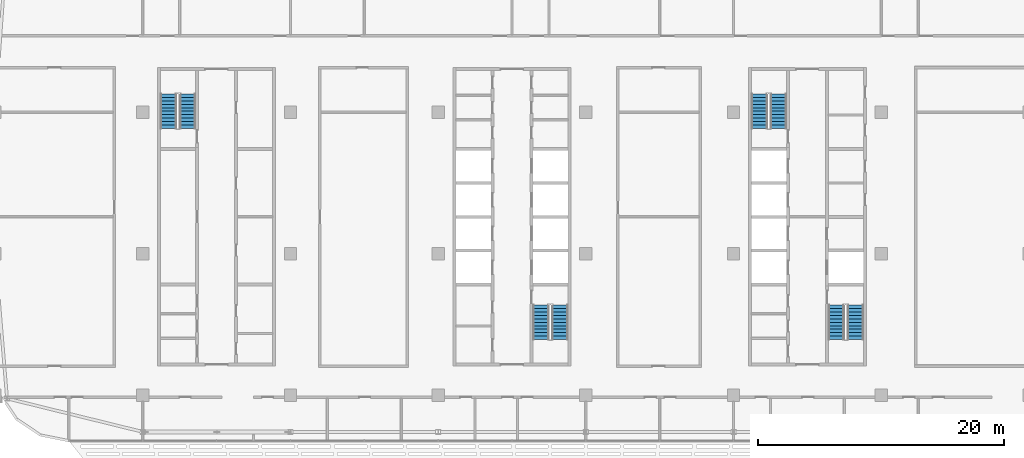
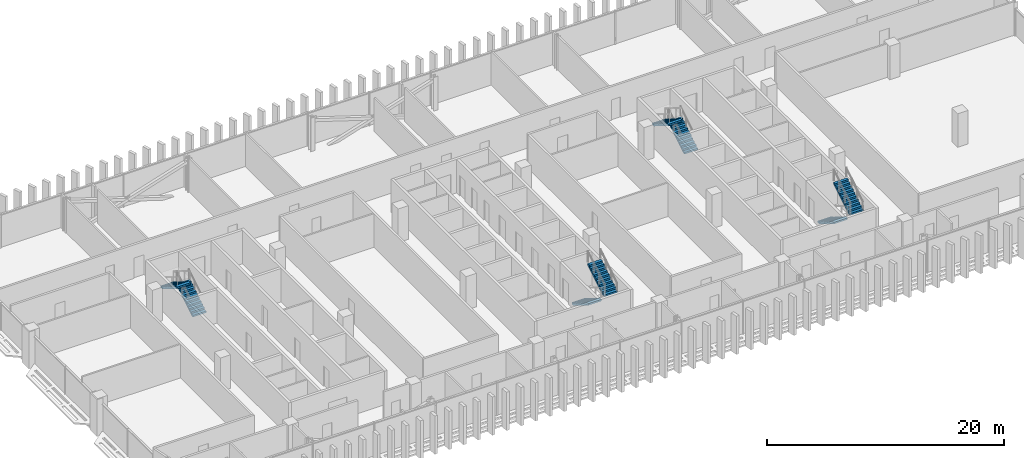
# One storey, part 23 of 34: 8 stair flights, 4 elements without a shape of their own.
"""IFC4 building model written with IfcOpenShell, lengths in metres."""

from ifc_helpers import new_model, si_unit, direction, frame, origin, place, context, subcontext, project, spatial, polyline, outline, extrude, material, type_object, element, aggregate, save


model = new_model("IFC4")

# Units and contexts
model_context = context("Model", 3, precision=1e-05, world=origin(), true_north=direction((0.0, 1.0)))
body_context = subcontext(model_context, "Body", "Model", "MODEL_VIEW")
ifc_project = project(units=[si_unit("LENGTHUNIT", "METRE"), si_unit("AREAUNIT", "SQUARE_METRE"), si_unit("VOLUMEUNIT", "CUBIC_METRE"), si_unit("PLANEANGLEUNIT", "RADIAN"), si_unit("MASSUNIT", "GRAM", prefix="KILO")], contexts=[model_context])

# Site, building, storey
site_placement = place(None, origin())
site = spatial("IfcSite", under=ifc_project, at=site_placement, CompositionType="ELEMENT")
building_placement = place(site_placement, origin())
building = spatial("IfcBuilding", under=site, at=building_placement, Name="Mahtab Terrace Research Tower", CompositionType="ELEMENT")
storey_placement = place(building_placement, frame((0.0, 0.0, 247.60009765625)))
storey = spatial("IfcBuildingStorey", under=building, at=storey_placement, Name="L60", CompositionType="ELEMENT", Elevation=247.60009765625)

# Stair, stair flights
ifc_material_1 = material(Name="Exit stair half-turn")
stair_type = type_object("IfcStairType", Name="Exit stair half-turn", PredefinedType="HALF_TURN_STAIR", material=ifc_material_1)
stair_1_placement = place(storey_placement, origin())
stair_1 = element("IfcStair", 1, at=stair_1_placement, inside=storey, type_object=stair_type, Name="L60 Protected exit stair ST1", PredefinedType="HALF_TURN_STAIR")
ifc_material_2 = material(Name="Concrete C40/50", Category="concrete")
stair_flight_type = type_object("IfcStairFlightType", Name="Exit stair flight 1300", PredefinedType="STRAIGHT", material=ifc_material_2)
stair_flight_1_placement = place(storey_placement, frame((-26.35009765625, 10.175048828125, 0.0), z_axis=(0.0, 0.0, 1.0), x_axis=(0.0, 1.0, 0.0)))
stair_flight_1 = element("IfcStairFlight", 2, at=stair_flight_1_placement, type_object=stair_flight_type, Name="ST1 flight 1", NumberOfRisers=11, NumberOfTreads=10, PredefinedType="STRAIGHT", RiserHeight=0.172727273, TreadLength=0.28, context=body_context, shape_type="SweptSolid", body=[
    extrude(outline(polyline([(0.0, 0.0), (0.0, 0.172607421875), (0.280029296875, 0.172607421875), (0.280029296875, 0.345458984375), (0.56005859375, 0.345458984375), (0.56005859375, 0.51806640625), (0.840087890625, 0.51806640625), (0.840087890625, 0.69091796875), (1.1201171875, 0.69091796875), (1.1201171875, 0.863525390625), (1.39990234375, 0.863525390625), (1.39990234375, 1.036376953125), (1.679931640625, 1.036376953125), (1.679931640625, 1.208984375), (1.9599609375, 1.208984375), (1.9599609375, 1.3818359375), (2.239990234375, 1.3818359375), (2.239990234375, 1.554443359375), (2.52001953125, 1.554443359375), (2.52001953125, 1.727294921875), (2.800048828125, 1.727294921875), (2.800048828125, 1.89990234375), (2.800048828125, 1.551025390625), (0.285400390625, 0.0), (0.0, 0.0)])), frame((0.0, 0.64990234375, 0.0), z_axis=(0.0, -1.0, 0.0), x_axis=(1.0, 0.0, 0.0)), (0.0, 0.0, 1.0), 1.300048828125),
])
stair_flight_2_placement = place(storey_placement, frame((-27.89990234375, 12.97509765625, 1.89990234375), z_axis=(0.0, 0.0, 1.0), x_axis=(0.0, -1.0, 0.0)))
stair_flight_2 = element("IfcStairFlight", 3, at=stair_flight_2_placement, type_object=stair_flight_type, Name="ST1 flight 2", NumberOfRisers=11, NumberOfTreads=10, PredefinedType="STRAIGHT", RiserHeight=0.172727273, TreadLength=0.28, context=body_context, shape_type="SweptSolid", body=[
    extrude(outline(polyline([(0.0, 0.0), (0.0, 0.172607421875), (0.280029296875, 0.172607421875), (0.280029296875, 0.345458984375), (0.56005859375, 0.345458984375), (0.56005859375, 0.51806640625), (0.840087890625, 0.51806640625), (0.840087890625, 0.69091796875), (1.1201171875, 0.69091796875), (1.1201171875, 0.863525390625), (1.39990234375, 0.863525390625), (1.39990234375, 1.036376953125), (1.679931640625, 1.036376953125), (1.679931640625, 1.208984375), (1.9599609375, 1.208984375), (1.9599609375, 1.3818359375), (2.239990234375, 1.3818359375), (2.239990234375, 1.554443359375), (2.52001953125, 1.554443359375), (2.52001953125, 1.727294921875), (2.800048828125, 1.727294921875), (2.800048828125, 1.89990234375), (2.800048828125, 1.551025390625), (0.285400390625, 0.0), (0.0, 0.0)])), frame((0.0, 0.64990234375, 0.0), z_axis=(0.0, -1.0, 0.0), x_axis=(1.0, 0.0, 0.0)), (0.0, 0.0, 1.0), 1.300048828125),
])
aggregate(stair_1, [stair_flight_1, stair_flight_2])

stair_2_placement = place(storey_placement, origin())
stair_2 = element("IfcStair", 4, at=stair_2_placement, inside=storey, type_object=stair_type, Name="L60 Protected exit stair ST2", PredefinedType="HALF_TURN_STAIR")
stair_flight_3_placement = place(storey_placement, frame((2.35009765625, -4.175048828125, 0.0), z_axis=(0.0, 0.0, 1.0), x_axis=(0.0, -1.0, 0.0)))
stair_flight_3 = element("IfcStairFlight", 5, at=stair_flight_3_placement, type_object=stair_flight_type, Name="ST2 flight 1", NumberOfRisers=11, NumberOfTreads=10, PredefinedType="STRAIGHT", RiserHeight=0.172727273, TreadLength=0.28, context=body_context, shape_type="SweptSolid", body=[
    extrude(outline(polyline([(0.0, 0.0), (0.0, 0.172607421875), (0.280029296875, 0.172607421875), (0.280029296875, 0.345458984375), (0.56005859375, 0.345458984375), (0.56005859375, 0.51806640625), (0.840087890625, 0.51806640625), (0.840087890625, 0.69091796875), (1.1201171875, 0.69091796875), (1.1201171875, 0.863525390625), (1.39990234375, 0.863525390625), (1.39990234375, 1.036376953125), (1.679931640625, 1.036376953125), (1.679931640625, 1.208984375), (1.9599609375, 1.208984375), (1.9599609375, 1.3818359375), (2.239990234375, 1.3818359375), (2.239990234375, 1.554443359375), (2.52001953125, 1.554443359375), (2.52001953125, 1.727294921875), (2.800048828125, 1.727294921875), (2.800048828125, 1.89990234375), (2.800048828125, 1.551025390625), (0.285400390625, 0.0), (0.0, 0.0)])), frame((0.0, 0.64990234375, 0.0), z_axis=(0.0, -1.0, 0.0), x_axis=(1.0, 0.0, 0.0)), (0.0, 0.0, 1.0), 1.300048828125),
])
stair_flight_4_placement = place(storey_placement, frame((3.89990234375, -6.97509765625, 1.89990234375), z_axis=(0.0, 0.0, 1.0), x_axis=(0.0, 1.0, 0.0)))
stair_flight_4 = element("IfcStairFlight", 6, at=stair_flight_4_placement, type_object=stair_flight_type, Name="ST2 flight 2", NumberOfRisers=11, NumberOfTreads=10, PredefinedType="STRAIGHT", RiserHeight=0.172727273, TreadLength=0.28, context=body_context, shape_type="SweptSolid", body=[
    extrude(outline(polyline([(0.0, 0.0), (0.0, 0.172607421875), (0.280029296875, 0.172607421875), (0.280029296875, 0.345458984375), (0.56005859375, 0.345458984375), (0.56005859375, 0.51806640625), (0.840087890625, 0.51806640625), (0.840087890625, 0.69091796875), (1.1201171875, 0.69091796875), (1.1201171875, 0.863525390625), (1.39990234375, 0.863525390625), (1.39990234375, 1.036376953125), (1.679931640625, 1.036376953125), (1.679931640625, 1.208984375), (1.9599609375, 1.208984375), (1.9599609375, 1.3818359375), (2.239990234375, 1.3818359375), (2.239990234375, 1.554443359375), (2.52001953125, 1.554443359375), (2.52001953125, 1.727294921875), (2.800048828125, 1.727294921875), (2.800048828125, 1.89990234375), (2.800048828125, 1.551025390625), (0.285400390625, 0.0), (0.0, 0.0)])), frame((0.0, 0.64990234375, 0.0), z_axis=(0.0, -1.0, 0.0), x_axis=(1.0, 0.0, 0.0)), (0.0, 0.0, 1.0), 1.300048828125),
])
aggregate(stair_2, [stair_flight_3, stair_flight_4])

stair_3_placement = place(storey_placement, origin())
stair_3 = element("IfcStair", 7, at=stair_3_placement, inside=storey, type_object=stair_type, Name="L60 Protected exit stair ST3", PredefinedType="HALF_TURN_STAIR")
stair_flight_5_placement = place(storey_placement, frame((21.64990234375, 10.175048828125, 0.0), z_axis=(0.0, 0.0, 1.0), x_axis=(0.0, 1.0, 0.0)))
stair_flight_5 = element("IfcStairFlight", 8, at=stair_flight_5_placement, type_object=stair_flight_type, Name="ST3 flight 1", NumberOfRisers=11, NumberOfTreads=10, PredefinedType="STRAIGHT", RiserHeight=0.172727273, TreadLength=0.28, context=body_context, shape_type="SweptSolid", body=[
    extrude(outline(polyline([(0.0, 0.0), (0.0, 0.172607421875), (0.280029296875, 0.172607421875), (0.280029296875, 0.345458984375), (0.56005859375, 0.345458984375), (0.56005859375, 0.51806640625), (0.840087890625, 0.51806640625), (0.840087890625, 0.69091796875), (1.1201171875, 0.69091796875), (1.1201171875, 0.863525390625), (1.39990234375, 0.863525390625), (1.39990234375, 1.036376953125), (1.679931640625, 1.036376953125), (1.679931640625, 1.208984375), (1.9599609375, 1.208984375), (1.9599609375, 1.3818359375), (2.239990234375, 1.3818359375), (2.239990234375, 1.554443359375), (2.52001953125, 1.554443359375), (2.52001953125, 1.727294921875), (2.800048828125, 1.727294921875), (2.800048828125, 1.89990234375), (2.800048828125, 1.551025390625), (0.285400390625, 0.0), (0.0, 0.0)])), frame((0.0, 0.64990234375, 0.0), z_axis=(0.0, -1.0, 0.0), x_axis=(1.0, 0.0, 0.0)), (0.0, 0.0, 1.0), 1.300048828125),
])
stair_flight_6_placement = place(storey_placement, frame((20.10009765625, 12.97509765625, 1.89990234375), z_axis=(0.0, 0.0, 1.0), x_axis=(0.0, -1.0, 0.0)))
stair_flight_6 = element("IfcStairFlight", 9, at=stair_flight_6_placement, type_object=stair_flight_type, Name="ST3 flight 2", NumberOfRisers=11, NumberOfTreads=10, PredefinedType="STRAIGHT", RiserHeight=0.172727273, TreadLength=0.28, context=body_context, shape_type="SweptSolid", body=[
    extrude(outline(polyline([(0.0, 0.0), (0.0, 0.172607421875), (0.280029296875, 0.172607421875), (0.280029296875, 0.345458984375), (0.56005859375, 0.345458984375), (0.56005859375, 0.51806640625), (0.840087890625, 0.51806640625), (0.840087890625, 0.69091796875), (1.1201171875, 0.69091796875), (1.1201171875, 0.863525390625), (1.39990234375, 0.863525390625), (1.39990234375, 1.036376953125), (1.679931640625, 1.036376953125), (1.679931640625, 1.208984375), (1.9599609375, 1.208984375), (1.9599609375, 1.3818359375), (2.239990234375, 1.3818359375), (2.239990234375, 1.554443359375), (2.52001953125, 1.554443359375), (2.52001953125, 1.727294921875), (2.800048828125, 1.727294921875), (2.800048828125, 1.89990234375), (2.800048828125, 1.551025390625), (0.285400390625, 0.0), (0.0, 0.0)])), frame((0.0, 0.64990234375, 0.0), z_axis=(0.0, -1.0, 0.0), x_axis=(1.0, 0.0, 0.0)), (0.0, 0.0, 1.0), 1.300048828125),
])
aggregate(stair_3, [stair_flight_5, stair_flight_6])

stair_4_placement = place(storey_placement, origin())
stair_4 = element("IfcStair", 10, at=stair_4_placement, inside=storey, type_object=stair_type, Name="L60 Protected exit stair ST4", PredefinedType="HALF_TURN_STAIR")
stair_flight_7_placement = place(storey_placement, frame((26.35009765625, -4.175048828125, 0.0), z_axis=(0.0, 0.0, 1.0), x_axis=(0.0, -1.0, 0.0)))
stair_flight_7 = element("IfcStairFlight", 11, at=stair_flight_7_placement, type_object=stair_flight_type, Name="ST4 flight 1", NumberOfRisers=11, NumberOfTreads=10, PredefinedType="STRAIGHT", RiserHeight=0.172727273, TreadLength=0.28, context=body_context, shape_type="SweptSolid", body=[
    extrude(outline(polyline([(0.0, 0.0), (0.0, 0.172607421875), (0.280029296875, 0.172607421875), (0.280029296875, 0.345458984375), (0.56005859375, 0.345458984375), (0.56005859375, 0.51806640625), (0.840087890625, 0.51806640625), (0.840087890625, 0.69091796875), (1.1201171875, 0.69091796875), (1.1201171875, 0.863525390625), (1.39990234375, 0.863525390625), (1.39990234375, 1.036376953125), (1.679931640625, 1.036376953125), (1.679931640625, 1.208984375), (1.9599609375, 1.208984375), (1.9599609375, 1.3818359375), (2.239990234375, 1.3818359375), (2.239990234375, 1.554443359375), (2.52001953125, 1.554443359375), (2.52001953125, 1.727294921875), (2.800048828125, 1.727294921875), (2.800048828125, 1.89990234375), (2.800048828125, 1.551025390625), (0.285400390625, 0.0), (0.0, 0.0)])), frame((0.0, 0.64990234375, 0.0), z_axis=(0.0, -1.0, 0.0), x_axis=(1.0, 0.0, 0.0)), (0.0, 0.0, 1.0), 1.300048828125),
])
stair_flight_8_placement = place(storey_placement, frame((27.89990234375, -6.97509765625, 1.89990234375), z_axis=(0.0, 0.0, 1.0), x_axis=(0.0, 1.0, 0.0)))
stair_flight_8 = element("IfcStairFlight", 12, at=stair_flight_8_placement, type_object=stair_flight_type, Name="ST4 flight 2", NumberOfRisers=11, NumberOfTreads=10, PredefinedType="STRAIGHT", RiserHeight=0.172727273, TreadLength=0.28, context=body_context, shape_type="SweptSolid", body=[
    extrude(outline(polyline([(0.0, 0.0), (0.0, 0.172607421875), (0.280029296875, 0.172607421875), (0.280029296875, 0.345458984375), (0.56005859375, 0.345458984375), (0.56005859375, 0.51806640625), (0.840087890625, 0.51806640625), (0.840087890625, 0.69091796875), (1.1201171875, 0.69091796875), (1.1201171875, 0.863525390625), (1.39990234375, 0.863525390625), (1.39990234375, 1.036376953125), (1.679931640625, 1.036376953125), (1.679931640625, 1.208984375), (1.9599609375, 1.208984375), (1.9599609375, 1.3818359375), (2.239990234375, 1.3818359375), (2.239990234375, 1.554443359375), (2.52001953125, 1.554443359375), (2.52001953125, 1.727294921875), (2.800048828125, 1.727294921875), (2.800048828125, 1.89990234375), (2.800048828125, 1.551025390625), (0.285400390625, 0.0), (0.0, 0.0)])), frame((0.0, 0.64990234375, 0.0), z_axis=(0.0, -1.0, 0.0), x_axis=(1.0, 0.0, 0.0)), (0.0, 0.0, 1.0), 1.300048828125),
])
aggregate(stair_4, [stair_flight_7, stair_flight_8])

save(model, "model.ifc")
